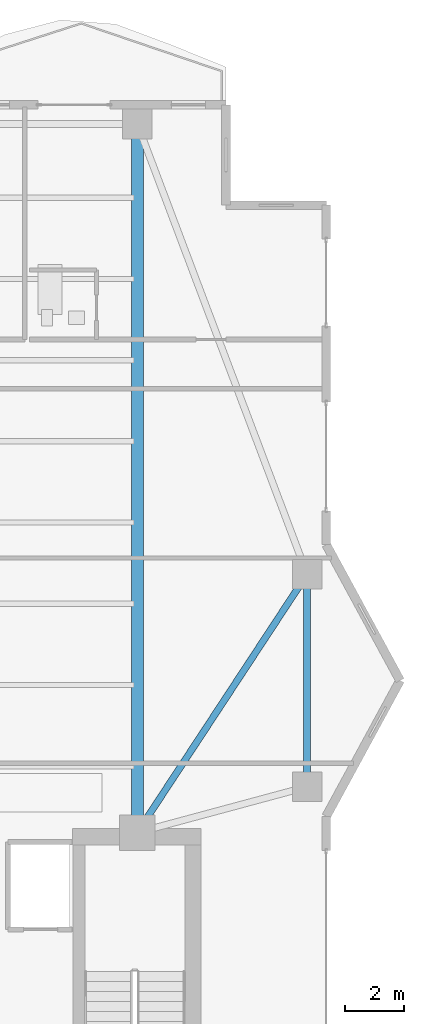
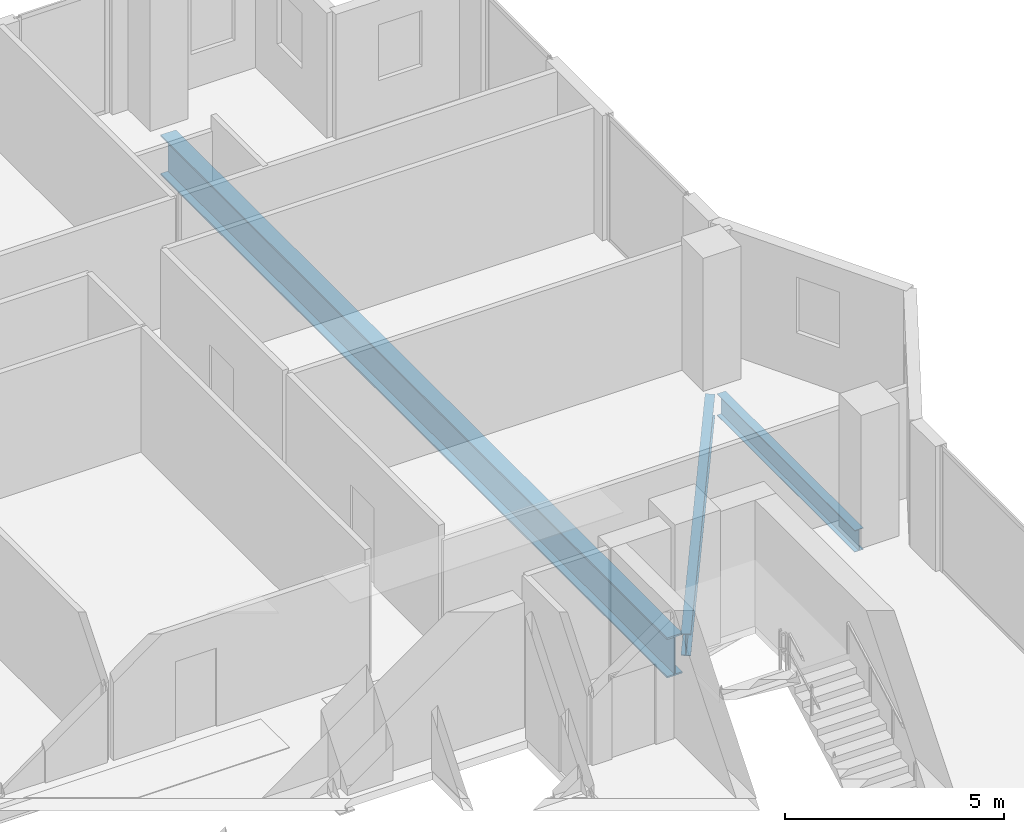
# One storey, part 10 of 26: 3 beams.
"""IFC4 building model written with IfcOpenShell, lengths in metres."""

from ifc_helpers import new_model, si_unit, direction, frame, origin, origin_2d, place, context, subcontext, project, spatial, i_section, extrude, material, material_profile, profile_set, type_object, element, save


model = new_model("IFC4")

# Units and contexts
model_context = context("Model", 3, precision=1e-05, world=origin(), true_north=direction((0.0, 1.0)))
body_context = subcontext(model_context, "Body", "Model", "MODEL_VIEW")
ifc_project = project(units=[si_unit("LENGTHUNIT", "METRE"), si_unit("AREAUNIT", "SQUARE_METRE"), si_unit("VOLUMEUNIT", "CUBIC_METRE"), si_unit("PLANEANGLEUNIT", "RADIAN"), si_unit("MASSUNIT", "GRAM", prefix="KILO")], contexts=[model_context])

# Site, building, storey
site_placement = place(None, origin())
site = spatial("IfcSite", under=ifc_project, at=site_placement, CompositionType="ELEMENT")
building_placement = place(site_placement, origin())
building = spatial("IfcBuilding", under=site, at=building_placement, Name="Zuhayl Quay Hotel", CompositionType="ELEMENT")
storey_placement = place(building_placement, frame((0.0, 0.0, 254.449951171875)))
storey = spatial("IfcBuildingStorey", under=building, at=storey_placement, Name="L64", CompositionType="ELEMENT", Elevation=254.449951171875)

# Beams
ifc_material_1 = material(Name="Steel ASTM A992 Grade 50", Category="steel")
ifc_material_profile_1 = material_profile(ifc_material_1, i_section(OverallWidth=0.22802734375, OverallDepth=0.60693359375, WebThickness=0.01123046875, FlangeThickness=0.017333984375, at=origin_2d()), Name="W24X76")
ifc_profile_set_1 = profile_set([ifc_material_profile_1], Name="Steel ASTM A992 Grade 50")
beam_type_1 = type_object("IfcBeamType", Name="BM_B3_W24X76", PredefinedType="BEAM", material=ifc_profile_set_1)
beam_1_placement = place(storey_placement, frame((19.550048828125, 16.360107421875, -0.5234375), z_axis=(0.0, 1.0, 0.0), x_axis=(-1.0, 0.0, 0.0)))
element("IfcBeam", 1, at=beam_1_placement, inside=storey, type_object=beam_type_1, Name="L64 Floor Beam RG_L64_05", PredefinedType="BEAM", context=body_context, shape_type="SweptSolid", body=[
    extrude(i_section(OverallWidth=0.22802734375, OverallDepth=0.60693359375, WebThickness=0.01123046875, FlangeThickness=0.017333984375, at=origin_2d()), origin(), (0.0, 0.0, 1.0), 6.27978515625),
])
beam_2_placement = place(storey_placement, frame((14.047119140625, 14.72607421875, -0.5234375), z_axis=(0.549177886661, 0.835705479701, 0.0), x_axis=(-0.835705479701, 0.549177886661, 0.0)))
element("IfcBeam", 2, at=beam_2_placement, inside=storey, type_object=beam_type_1, Name="L64 Floor Beam FG_E_L64_2", PredefinedType="BEAM", context=body_context, shape_type="SweptSolid", body=[
    extrude(i_section(OverallWidth=0.22802734375, OverallDepth=0.60693359375, WebThickness=0.01123046875, FlangeThickness=0.017333984375, at=origin_2d()), origin(), (0.0, 0.0, 1.0), 9.560302734375),
])
ifc_material_2 = material(Name="Steel ASTM A913 Grade 65", Category="steel")
ifc_material_profile_2 = material_profile(ifc_material_2, i_section(OverallWidth=0.404052734375, OverallDepth=1.117919921875, WebThickness=0.026123046875, FlangeThickness=0.044921875, at=origin_2d()), Name="W44X335")
ifc_profile_set_2 = profile_set([ifc_material_profile_2], Name="Steel ASTM A913 Grade 65")
beam_type_2 = type_object("IfcBeamType", Name="BM_TG1_W44X335", PredefinedType="BEAM", material=ifc_profile_set_2)
beam_3_placement = place(storey_placement, frame((13.800048828125, 14.800048828125, -0.779052734375), z_axis=(0.0, 1.0, 0.0), x_axis=(-1.0, 0.0, 0.0)))
element("IfcBeam", 3, at=beam_3_placement, inside=storey, type_object=beam_type_2, Name="L64 Floor Beam FG_N_L64_4", PredefinedType="BEAM", context=body_context, shape_type="SweptSolid", body=[
    extrude(i_section(OverallWidth=0.404052734375, OverallDepth=1.117919921875, WebThickness=0.026123046875, FlangeThickness=0.044921875, at=origin_2d()), origin(), (0.0, 0.0, 1.0), 23.08984375),
])

save(model, "model.ifc")
